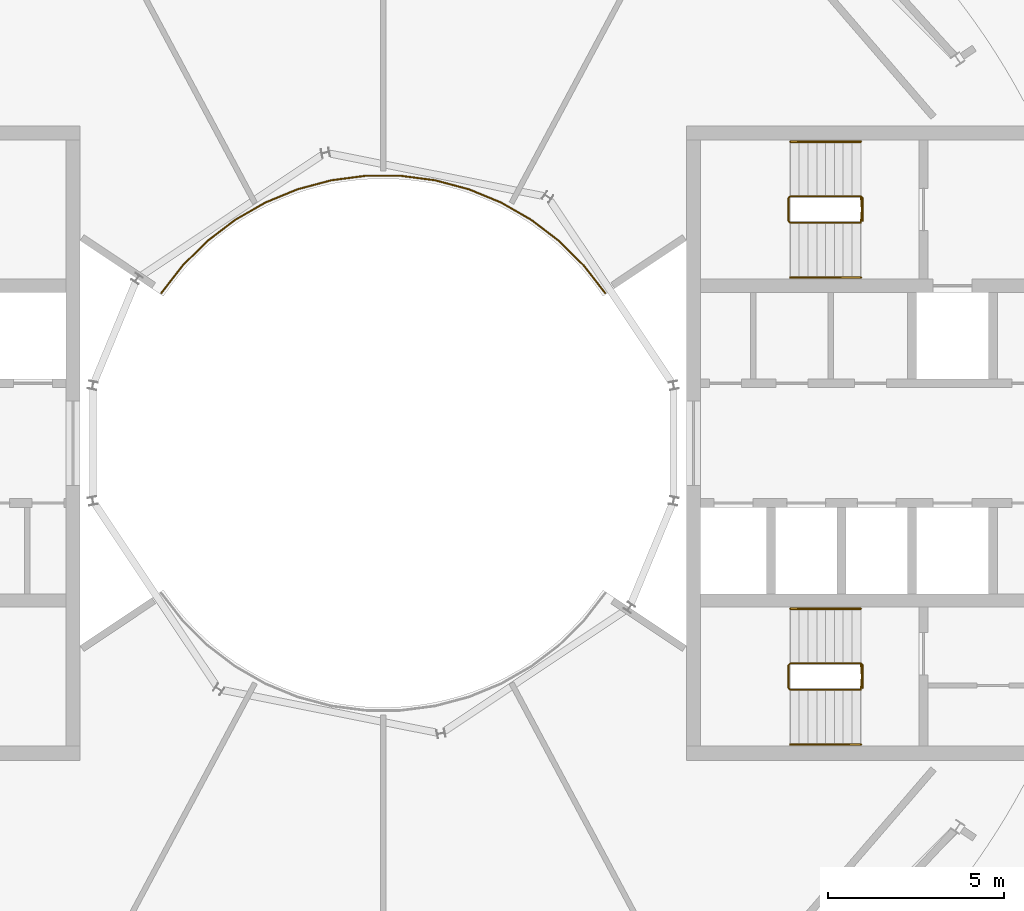
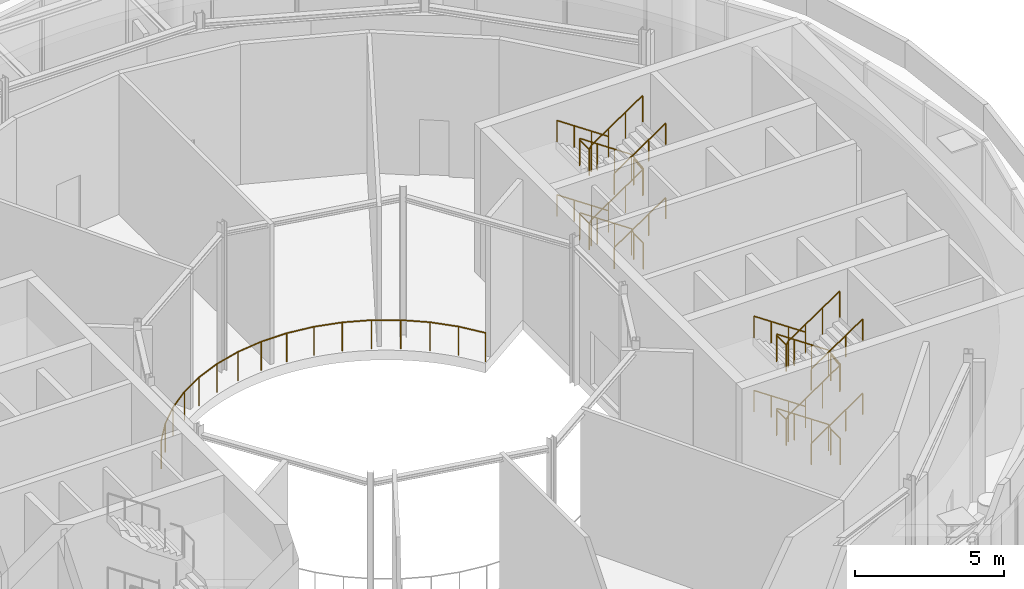
# One storey, part 20 of 20: 11 railings.
"""IFC4 building model written with IfcOpenShell, lengths in metres."""

from ifc_helpers import new_model, si_unit, direction, frame, origin, origin_2d, place, context, subcontext, project, spatial, circle, extrude, material, type_object, element, save


model = new_model("IFC4")

# Units and contexts
model_context = context("Model", 3, precision=1e-05, world=origin(), true_north=direction((0.0, 1.0)))
body_context = subcontext(model_context, "Body", "Model", "MODEL_VIEW")
ifc_project = project(units=[si_unit("LENGTHUNIT", "METRE"), si_unit("AREAUNIT", "SQUARE_METRE"), si_unit("VOLUMEUNIT", "CUBIC_METRE"), si_unit("PLANEANGLEUNIT", "RADIAN"), si_unit("MASSUNIT", "GRAM", prefix="KILO")], contexts=[model_context])

# Site, building, storey
site_placement = place(None, origin())
site = spatial("IfcSite", under=ifc_project, at=site_placement, CompositionType="ELEMENT")
building_placement = place(site_placement, origin())
building = spatial("IfcBuilding", under=site, at=building_placement, Name="Maasbend Ring Residences", CompositionType="ELEMENT")
storey_placement = place(building_placement, frame((0.0, 0.0, 255.39990234375)))
storey = spatial("IfcBuildingStorey", under=building, at=storey_placement, Name="L74", CompositionType="ELEMENT", Elevation=255.39990234375)

# Railings
ifc_material_1 = material(Name="Stainless steel 316 and glass", Category="steel")
railing_type_1 = type_object("IfcRailingType", Name="RL-GUARD", PredefinedType="GUARDRAIL", material=ifc_material_1)
railing_1_placement = place(storey_placement, frame((6.296875, 4.25537109375, 0.0)))
element("IfcRailing", 1, at=railing_1_placement, inside=storey, type_object=railing_type_1, Name="Well guard 1", PredefinedType="GUARDRAIL", context=body_context, shape_type="SweptSolid", body=[
    extrude(circle(Radius=0.02490234375, at=origin_2d()), frame((0.0, 0.0, 1.1748046875), z_axis=(-0.61260637429, 0.790388151593, 0.0), x_axis=(-0.790388151593, -0.61260637429, 0.0)), (0.0, 0.0, 1.0), 0.98876953125),
    extrude(circle(Radius=0.02490234375, at=origin_2d()), frame((-0.605712890625, 0.781494140625, 1.1748046875), z_axis=(-0.710063286319, 0.704137862511, 0.0), x_axis=(-0.704137862511, -0.710063286319, 0.0)), (0.0, 0.0, 1.0), 0.98876953125),
    extrude(circle(Radius=0.02490234375, at=origin_2d()), frame((-1.307861328125, 1.477783203125, 1.1748046875), z_axis=(-0.795414718638, 0.606065528944, 0.0), x_axis=(-0.606065528944, -0.795414718638, 0.0)), (0.0, 0.0, 1.0), 0.989013671875),
    extrude(circle(Radius=0.02490234375, at=origin_2d()), frame((-2.094482421875, 2.0771484375, 1.1748046875), z_axis=(-0.867436652983, 0.497547638987, 0.0), x_axis=(-0.497547638987, -0.867436652983, 0.0)), (0.0, 0.0, 1.0), 0.98876953125),
    extrude(circle(Radius=0.02490234375, at=origin_2d()), frame((-2.9521484375, 2.569091796875, 1.1748046875), z_axis=(-0.924683211941, 0.380737386599, 0.0), x_axis=(-0.380737386599, -0.924683211941, 0.0)), (0.0, 0.0, 1.0), 0.98876953125),
    extrude(circle(Radius=0.02490234375, at=origin_2d()), frame((-3.866455078125, 2.945556640625, 1.1748046875), z_axis=(-0.966279997956, 0.257493622348, 0.0), x_axis=(-0.257493622348, -0.966279997956, 0.0)), (0.0, 0.0, 1.0), 0.989013671875),
    extrude(circle(Radius=0.02490234375, at=origin_2d()), frame((-4.822021484375, 3.2001953125, 1.1748046875), z_axis=(-0.991531433773, 0.129866915878, 0.0), x_axis=(-0.129866915878, -0.991531433773, 0.0)), (0.0, 0.0, 1.0), 0.98876953125),
    extrude(circle(Radius=0.02490234375, at=origin_2d()), frame((-5.802490234375, 3.32861328125, 1.1748046875), z_axis=(-1.0, 0.0, 0.0), x_axis=(0.0, -1.0, 0.0)), (0.0, 0.0, 1.0), 0.98876953125),
    extrude(circle(Radius=0.02490234375, at=origin_2d()), frame((-6.791259765625, 3.32861328125, 1.1748046875), z_axis=(-0.991531433773, -0.129866915878, 0.0), x_axis=(0.129866915878, -0.991531433773, 0.0)), (0.0, 0.0, 1.0), 0.98876953125),
    extrude(circle(Radius=0.02490234375, at=origin_2d()), frame((-7.771728515625, 3.2001953125, 1.1748046875), z_axis=(-0.966279997956, -0.257493622348, 0.0), x_axis=(0.257493622348, -0.966279997956, 0.0)), (0.0, 0.0, 1.0), 0.989013671875),
    extrude(circle(Radius=0.02490234375, at=origin_2d()), frame((-8.727294921875, 2.945556640625, 1.1748046875), z_axis=(-0.924683211941, -0.380737386599, 0.0), x_axis=(0.380737386599, -0.924683211941, 0.0)), (0.0, 0.0, 1.0), 0.98876953125),
    extrude(circle(Radius=0.02490234375, at=origin_2d()), frame((-9.6416015625, 2.569091796875, 1.1748046875), z_axis=(-0.867436652983, -0.497547638987, 0.0), x_axis=(0.497547638987, -0.867436652983, 0.0)), (0.0, 0.0, 1.0), 0.98876953125),
    extrude(circle(Radius=0.02490234375, at=origin_2d()), frame((-10.499267578125, 2.0771484375, 1.1748046875), z_axis=(-0.795414718638, -0.606065528944, 0.0), x_axis=(0.606065528944, -0.795414718638, 0.0)), (0.0, 0.0, 1.0), 0.989013671875),
    extrude(circle(Radius=0.02490234375, at=origin_2d()), frame((-11.285888671875, 1.477783203125, 1.1748046875), z_axis=(-0.710063286319, -0.704137862511, 0.0), x_axis=(0.704137862511, -0.710063286319, 0.0)), (0.0, 0.0, 1.0), 0.98876953125),
    extrude(circle(Radius=0.02490234375, at=origin_2d()), frame((-11.988037109375, 0.781494140625, 1.1748046875), z_axis=(-0.61260637429, -0.790388151593, 0.0), x_axis=(0.790388151593, -0.61260637429, 0.0)), (0.0, 0.0, 1.0), 0.98876953125),
    extrude(circle(Radius=0.02001953125, at=origin_2d()), origin(), (0.0, 0.0, 1.0), 1.14990234375),
    extrude(circle(Radius=0.02001953125, at=origin_2d()), frame((-0.605712890625, 0.781494140625, 0.0)), (0.0, 0.0, 1.0), 1.14990234375),
    extrude(circle(Radius=0.02001953125, at=origin_2d()), frame((-1.307861328125, 1.477783203125, 0.0)), (0.0, 0.0, 1.0), 1.14990234375),
    extrude(circle(Radius=0.02001953125, at=origin_2d()), frame((-2.094482421875, 2.0771484375, 0.0)), (0.0, 0.0, 1.0), 1.14990234375),
    extrude(circle(Radius=0.02001953125, at=origin_2d()), frame((-2.9521484375, 2.569091796875, 0.0)), (0.0, 0.0, 1.0), 1.14990234375),
    extrude(circle(Radius=0.02001953125, at=origin_2d()), frame((-3.866455078125, 2.945556640625, 0.0)), (0.0, 0.0, 1.0), 1.14990234375),
    extrude(circle(Radius=0.02001953125, at=origin_2d()), frame((-4.822021484375, 3.2001953125, 0.0)), (0.0, 0.0, 1.0), 1.14990234375),
    extrude(circle(Radius=0.02001953125, at=origin_2d()), frame((-5.802490234375, 3.32861328125, 0.0)), (0.0, 0.0, 1.0), 1.14990234375),
    extrude(circle(Radius=0.02001953125, at=origin_2d()), frame((-6.791259765625, 3.32861328125, 0.0)), (0.0, 0.0, 1.0), 1.14990234375),
    extrude(circle(Radius=0.02001953125, at=origin_2d()), frame((-7.771728515625, 3.2001953125, 0.0)), (0.0, 0.0, 1.0), 1.14990234375),
    extrude(circle(Radius=0.02001953125, at=origin_2d()), frame((-8.727294921875, 2.945556640625, 0.0)), (0.0, 0.0, 1.0), 1.14990234375),
    extrude(circle(Radius=0.02001953125, at=origin_2d()), frame((-9.6416015625, 2.569091796875, 0.0)), (0.0, 0.0, 1.0), 1.14990234375),
    extrude(circle(Radius=0.02001953125, at=origin_2d()), frame((-10.499267578125, 2.0771484375, 0.0)), (0.0, 0.0, 1.0), 1.14990234375),
    extrude(circle(Radius=0.02001953125, at=origin_2d()), frame((-11.285888671875, 1.477783203125, 0.0)), (0.0, 0.0, 1.0), 1.14990234375),
    extrude(circle(Radius=0.02001953125, at=origin_2d()), frame((-11.988037109375, 0.781494140625, 0.0)), (0.0, 0.0, 1.0), 1.14990234375),
    extrude(circle(Radius=0.02001953125, at=origin_2d()), frame((-12.59375, 0.0, 0.0)), (0.0, 0.0, 1.0), 1.14990234375),
])
ifc_material_2 = material(Name="Stainless steel 316", Category="steel")
railing_type_2 = type_object("IfcRailingType", Name="STAIR GUARD 1100", PredefinedType="GUARDRAIL", material=ifc_material_2)
railing_2_placement = place(storey_placement, frame((13.60009765625, 6.300048828125, 0.0)))
element("IfcRailing", 2, at=railing_2_placement, inside=storey, type_object=railing_type_2, Name="L74 ST-E1 stair guard 1", PredefinedType="GUARDRAIL", context=body_context, shape_type="SweptSolid", body=[
    extrude(circle(Radius=0.02392578125, at=origin_2d()), frame((0.0, 0.0, 1.076171875), z_axis=(0.0, 1.0, 0.0), x_axis=(-1.0, 0.0, 0.0)), (0.0, 0.0, 1.0), 0.64990234375),
    extrude(circle(Radius=0.02392578125, at=origin_2d()), frame((0.0, 0.64990234375, 1.076171875), z_axis=(-0.272562526181, 0.272562526181, 0.92272386912), x_axis=(-0.707106781187, -0.707106781187, 0.0)), (0.0, 0.0, 1.0), 0.18359375),
    extrude(circle(Radius=0.02392578125, at=origin_2d()), frame((-0.050048828125, 0.699951171875, 1.24560546875), z_axis=(-0.827750655447, 0.0, 0.561096116906), x_axis=(0.0, -1.0, 0.0)), (0.0, 0.0, 1.0), 2.416259765625),
    extrude(circle(Radius=0.02392578125, at=origin_2d()), frame((-2.050048828125, 0.699951171875, 2.60107421875), z_axis=(-0.707106781187, -0.707106781187, 0.0), x_axis=(0.707106781187, -0.707106781187, 0.0)), (0.0, 0.0, 1.0), 0.07080078125),
    extrude(circle(Radius=0.02392578125, at=origin_2d()), frame((-2.10009765625, 0.64990234375, 2.60107421875), z_axis=(0.0, -1.0, 0.0), x_axis=(1.0, 0.0, 0.0)), (0.0, 0.0, 1.0), 0.64990234375),
    extrude(circle(Radius=0.02392578125, at=origin_2d()), frame((-2.10009765625, 0.0, 2.60107421875), z_axis=(0.272562526181, -0.272562526181, 0.92272386912), x_axis=(0.707106781187, 0.707106781187, 0.0)), (0.0, 0.0, 1.0), 0.18359375),
    extrude(circle(Radius=0.02392578125, at=origin_2d()), frame((-2.050048828125, -0.050048828125, 2.7705078125), z_axis=(0.827797584762, 0.0, 0.561026878735), x_axis=(0.0, 1.0, 0.0)), (0.0, 0.0, 1.0), 2.416015625),
    extrude(circle(Radius=0.02392578125, at=origin_2d()), frame((-0.050048828125, -0.050048828125, 4.1259765625), z_axis=(0.071321223157, 0.997453398975, 0.0), x_axis=(-0.997453398975, 0.071321223157, 0.0)), (0.0, 0.0, 1.0), 0.70166015625),
    extrude(circle(Radius=0.02392578125, at=origin_2d()), frame((0.0, 0.64990234375, 4.1259765625), z_axis=(0.0, -1.0, 0.0), x_axis=(1.0, 0.0, 0.0)), (0.0, 0.0, 1.0), 0.64990234375),
    extrude(circle(Radius=0.02392578125, at=origin_2d()), frame((0.0, 0.0, 4.1259765625), z_axis=(-0.069328998915, 0.969591414091, 0.234704025594), x_axis=(-0.997453398975, -0.071321223157, 0.0)), (0.0, 0.0, 1.0), 0.721923828125),
    extrude(circle(Radius=0.02392578125, at=origin_2d()), frame((-0.050048828125, 0.699951171875, 4.29541015625), z_axis=(-0.827750655447, 0.0, 0.561096116906), x_axis=(0.0, -1.0, 0.0)), (0.0, 0.0, 1.0), 2.416259765625),
    extrude(circle(Radius=0.02392578125, at=origin_2d()), frame((-2.050048828125, 0.699951171875, 5.6513671875), z_axis=(-0.707106781187, -0.707106781187, 0.0), x_axis=(0.707106781187, -0.707106781187, 0.0)), (0.0, 0.0, 1.0), 0.07080078125),
    extrude(circle(Radius=0.02392578125, at=origin_2d()), frame((-2.10009765625, 0.64990234375, 5.6513671875), z_axis=(0.0, -1.0, 0.0), x_axis=(1.0, 0.0, 0.0)), (0.0, 0.0, 1.0), 0.64990234375),
    extrude(circle(Radius=0.02392578125, at=origin_2d()), frame((-2.10009765625, 0.0, 5.6513671875), z_axis=(0.272562526181, -0.272562526181, 0.92272386912), x_axis=(0.707106781187, 0.707106781187, 0.0)), (0.0, 0.0, 1.0), 0.18359375),
    extrude(circle(Radius=0.02392578125, at=origin_2d()), frame((-2.050048828125, -0.050048828125, 5.82080078125), z_axis=(0.827797584762, 0.0, 0.561026878735), x_axis=(0.0, 1.0, 0.0)), (0.0, 0.0, 1.0), 2.416015625),
    extrude(circle(Radius=0.02099609375, at=origin_2d()), origin(), (0.0, 0.0, 1.0), 1.052001953125),
    extrude(circle(Radius=0.02099609375, at=origin_2d()), frame((0.0, 0.64990234375, 0.0)), (0.0, 0.0, 1.0), 1.052001953125),
    extrude(circle(Radius=0.02099609375, at=origin_2d()), frame((-0.050048828125, 0.699951171875, 0.16943359375)), (0.0, 0.0, 1.0), 1.052001953125),
    extrude(circle(Radius=0.02099609375, at=origin_2d()), frame((-0.716796875, 0.699951171875, 0.621337890625)), (0.0, 0.0, 1.0), 1.052001953125),
    extrude(circle(Radius=0.02099609375, at=origin_2d()), frame((-1.38330078125, 0.699951171875, 1.0732421875)), (0.0, 0.0, 1.0), 1.052001953125),
    extrude(circle(Radius=0.02099609375, at=origin_2d()), frame((-2.050048828125, 0.699951171875, 1.525146484375)), (0.0, 0.0, 1.0), 1.052001953125),
    extrude(circle(Radius=0.02099609375, at=origin_2d()), frame((-2.10009765625, 0.64990234375, 1.525146484375)), (0.0, 0.0, 1.0), 1.052001953125),
    extrude(circle(Radius=0.02099609375, at=origin_2d()), frame((-2.10009765625, 0.0, 1.525146484375)), (0.0, 0.0, 1.0), 1.052001953125),
    extrude(circle(Radius=0.02099609375, at=origin_2d()), frame((-2.050048828125, -0.050048828125, 1.694580078125)), (0.0, 0.0, 1.0), 1.052001953125),
    extrude(circle(Radius=0.02099609375, at=origin_2d()), frame((-1.38330078125, -0.050048828125, 2.146484375)), (0.0, 0.0, 1.0), 1.052001953125),
    extrude(circle(Radius=0.02099609375, at=origin_2d()), frame((-0.716796875, -0.050048828125, 2.59814453125)), (0.0, 0.0, 1.0), 1.052001953125),
    extrude(circle(Radius=0.02099609375, at=origin_2d()), frame((-0.050048828125, -0.050048828125, 3.050048828125)), (0.0, 0.0, 1.0), 1.052001953125),
    extrude(circle(Radius=0.02099609375, at=origin_2d()), frame((0.0, 0.64990234375, 3.050048828125)), (0.0, 0.0, 1.0), 1.052001953125),
    extrude(circle(Radius=0.02099609375, at=origin_2d()), frame((0.0, 0.0, 3.050048828125)), (0.0, 0.0, 1.0), 1.052001953125),
    extrude(circle(Radius=0.02099609375, at=origin_2d()), frame((-0.050048828125, 0.699951171875, 3.219482421875)), (0.0, 0.0, 1.0), 1.052001953125),
    extrude(circle(Radius=0.02099609375, at=origin_2d()), frame((-0.716796875, 0.699951171875, 3.67138671875)), (0.0, 0.0, 1.0), 1.052001953125),
    extrude(circle(Radius=0.02099609375, at=origin_2d()), frame((-1.38330078125, 0.699951171875, 4.123291015625)), (0.0, 0.0, 1.0), 1.052001953125),
    extrude(circle(Radius=0.02099609375, at=origin_2d()), frame((-2.050048828125, 0.699951171875, 4.5751953125)), (0.0, 0.0, 1.0), 1.052001953125),
    extrude(circle(Radius=0.02099609375, at=origin_2d()), frame((-2.10009765625, 0.64990234375, 4.5751953125)), (0.0, 0.0, 1.0), 1.052001953125),
    extrude(circle(Radius=0.02099609375, at=origin_2d()), frame((-2.10009765625, 0.0, 4.5751953125)), (0.0, 0.0, 1.0), 1.052001953125),
    extrude(circle(Radius=0.02099609375, at=origin_2d()), frame((-2.050048828125, -0.050048828125, 4.74462890625)), (0.0, 0.0, 1.0), 1.052001953125),
    extrude(circle(Radius=0.02099609375, at=origin_2d()), frame((-1.38330078125, -0.050048828125, 5.196533203125)), (0.0, 0.0, 1.0), 1.052001953125),
    extrude(circle(Radius=0.02099609375, at=origin_2d()), frame((-0.716796875, -0.050048828125, 5.648193359375)), (0.0, 0.0, 1.0), 1.052001953125),
    extrude(circle(Radius=0.02099609375, at=origin_2d()), frame((-0.050048828125, -0.050048828125, 6.10009765625)), (0.0, 0.0, 1.0), 1.052001953125),
])
railing_3_placement = place(storey_placement, frame((13.60009765625, -6.949951171875, 0.0)))
element("IfcRailing", 3, at=railing_3_placement, inside=storey, type_object=railing_type_2, Name="L74 ST-E2 stair guard 1", PredefinedType="GUARDRAIL", context=body_context, shape_type="SweptSolid", body=[
    extrude(circle(Radius=0.02392578125, at=origin_2d()), frame((0.0, 0.0, 1.076171875), z_axis=(0.0, 1.0, 0.0), x_axis=(-1.0, 0.0, 0.0)), (0.0, 0.0, 1.0), 0.64990234375),
    extrude(circle(Radius=0.02392578125, at=origin_2d()), frame((0.0, 0.64990234375, 1.076171875), z_axis=(-0.272562526181, 0.272562526181, 0.92272386912), x_axis=(-0.707106781187, -0.707106781187, 0.0)), (0.0, 0.0, 1.0), 0.18359375),
    extrude(circle(Radius=0.02392578125, at=origin_2d()), frame((-0.050048828125, 0.699951171875, 1.24560546875), z_axis=(-0.827750655447, 0.0, 0.561096116906), x_axis=(0.0, -1.0, 0.0)), (0.0, 0.0, 1.0), 2.416259765625),
    extrude(circle(Radius=0.02392578125, at=origin_2d()), frame((-2.050048828125, 0.699951171875, 2.60107421875), z_axis=(-0.707106781187, -0.707106781187, 0.0), x_axis=(0.707106781187, -0.707106781187, 0.0)), (0.0, 0.0, 1.0), 0.07080078125),
    extrude(circle(Radius=0.02392578125, at=origin_2d()), frame((-2.10009765625, 0.64990234375, 2.60107421875), z_axis=(0.0, -1.0, 0.0), x_axis=(1.0, 0.0, 0.0)), (0.0, 0.0, 1.0), 0.64990234375),
    extrude(circle(Radius=0.02392578125, at=origin_2d()), frame((-2.10009765625, 0.0, 2.60107421875), z_axis=(0.272562526181, -0.272562526181, 0.92272386912), x_axis=(0.707106781187, 0.707106781187, 0.0)), (0.0, 0.0, 1.0), 0.18359375),
    extrude(circle(Radius=0.02392578125, at=origin_2d()), frame((-2.050048828125, -0.050048828125, 2.7705078125), z_axis=(0.827797584762, 0.0, 0.561026878735), x_axis=(0.0, 1.0, 0.0)), (0.0, 0.0, 1.0), 2.416015625),
    extrude(circle(Radius=0.02392578125, at=origin_2d()), frame((-0.050048828125, -0.050048828125, 4.1259765625), z_axis=(0.071321223157, 0.997453398975, 0.0), x_axis=(-0.997453398975, 0.071321223157, 0.0)), (0.0, 0.0, 1.0), 0.70166015625),
    extrude(circle(Radius=0.02392578125, at=origin_2d()), frame((0.0, 0.64990234375, 4.1259765625), z_axis=(0.0, -1.0, 0.0), x_axis=(1.0, 0.0, 0.0)), (0.0, 0.0, 1.0), 0.64990234375),
    extrude(circle(Radius=0.02392578125, at=origin_2d()), frame((0.0, 0.0, 4.1259765625), z_axis=(-0.069328998915, 0.969591414091, 0.234704025594), x_axis=(-0.997453398975, -0.071321223157, 0.0)), (0.0, 0.0, 1.0), 0.721923828125),
    extrude(circle(Radius=0.02392578125, at=origin_2d()), frame((-0.050048828125, 0.699951171875, 4.29541015625), z_axis=(-0.827750655447, 0.0, 0.561096116906), x_axis=(0.0, -1.0, 0.0)), (0.0, 0.0, 1.0), 2.416259765625),
    extrude(circle(Radius=0.02392578125, at=origin_2d()), frame((-2.050048828125, 0.699951171875, 5.6513671875), z_axis=(-0.707106781187, -0.707106781187, 0.0), x_axis=(0.707106781187, -0.707106781187, 0.0)), (0.0, 0.0, 1.0), 0.07080078125),
    extrude(circle(Radius=0.02392578125, at=origin_2d()), frame((-2.10009765625, 0.64990234375, 5.6513671875), z_axis=(0.0, -1.0, 0.0), x_axis=(1.0, 0.0, 0.0)), (0.0, 0.0, 1.0), 0.64990234375),
    extrude(circle(Radius=0.02392578125, at=origin_2d()), frame((-2.10009765625, 0.0, 5.6513671875), z_axis=(0.272562526181, -0.272562526181, 0.92272386912), x_axis=(0.707106781187, 0.707106781187, 0.0)), (0.0, 0.0, 1.0), 0.18359375),
    extrude(circle(Radius=0.02392578125, at=origin_2d()), frame((-2.050048828125, -0.050048828125, 5.82080078125), z_axis=(0.827797584762, 0.0, 0.561026878735), x_axis=(0.0, 1.0, 0.0)), (0.0, 0.0, 1.0), 2.416015625),
    extrude(circle(Radius=0.02099609375, at=origin_2d()), origin(), (0.0, 0.0, 1.0), 1.052001953125),
    extrude(circle(Radius=0.02099609375, at=origin_2d()), frame((0.0, 0.64990234375, 0.0)), (0.0, 0.0, 1.0), 1.052001953125),
    extrude(circle(Radius=0.02099609375, at=origin_2d()), frame((-0.050048828125, 0.699951171875, 0.16943359375)), (0.0, 0.0, 1.0), 1.052001953125),
    extrude(circle(Radius=0.02099609375, at=origin_2d()), frame((-0.716796875, 0.699951171875, 0.621337890625)), (0.0, 0.0, 1.0), 1.052001953125),
    extrude(circle(Radius=0.02099609375, at=origin_2d()), frame((-1.38330078125, 0.699951171875, 1.0732421875)), (0.0, 0.0, 1.0), 1.052001953125),
    extrude(circle(Radius=0.02099609375, at=origin_2d()), frame((-2.050048828125, 0.699951171875, 1.525146484375)), (0.0, 0.0, 1.0), 1.052001953125),
    extrude(circle(Radius=0.02099609375, at=origin_2d()), frame((-2.10009765625, 0.64990234375, 1.525146484375)), (0.0, 0.0, 1.0), 1.052001953125),
    extrude(circle(Radius=0.02099609375, at=origin_2d()), frame((-2.10009765625, 0.0, 1.525146484375)), (0.0, 0.0, 1.0), 1.052001953125),
    extrude(circle(Radius=0.02099609375, at=origin_2d()), frame((-2.050048828125, -0.050048828125, 1.694580078125)), (0.0, 0.0, 1.0), 1.052001953125),
    extrude(circle(Radius=0.02099609375, at=origin_2d()), frame((-1.38330078125, -0.050048828125, 2.146484375)), (0.0, 0.0, 1.0), 1.052001953125),
    extrude(circle(Radius=0.02099609375, at=origin_2d()), frame((-0.716796875, -0.050048828125, 2.59814453125)), (0.0, 0.0, 1.0), 1.052001953125),
    extrude(circle(Radius=0.02099609375, at=origin_2d()), frame((-0.050048828125, -0.050048828125, 3.050048828125)), (0.0, 0.0, 1.0), 1.052001953125),
    extrude(circle(Radius=0.02099609375, at=origin_2d()), frame((0.0, 0.64990234375, 3.050048828125)), (0.0, 0.0, 1.0), 1.052001953125),
    extrude(circle(Radius=0.02099609375, at=origin_2d()), frame((0.0, 0.0, 3.050048828125)), (0.0, 0.0, 1.0), 1.052001953125),
    extrude(circle(Radius=0.02099609375, at=origin_2d()), frame((-0.050048828125, 0.699951171875, 3.219482421875)), (0.0, 0.0, 1.0), 1.052001953125),
    extrude(circle(Radius=0.02099609375, at=origin_2d()), frame((-0.716796875, 0.699951171875, 3.67138671875)), (0.0, 0.0, 1.0), 1.052001953125),
    extrude(circle(Radius=0.02099609375, at=origin_2d()), frame((-1.38330078125, 0.699951171875, 4.123291015625)), (0.0, 0.0, 1.0), 1.052001953125),
    extrude(circle(Radius=0.02099609375, at=origin_2d()), frame((-2.050048828125, 0.699951171875, 4.5751953125)), (0.0, 0.0, 1.0), 1.052001953125),
    extrude(circle(Radius=0.02099609375, at=origin_2d()), frame((-2.10009765625, 0.64990234375, 4.5751953125)), (0.0, 0.0, 1.0), 1.052001953125),
    extrude(circle(Radius=0.02099609375, at=origin_2d()), frame((-2.10009765625, 0.0, 4.5751953125)), (0.0, 0.0, 1.0), 1.052001953125),
    extrude(circle(Radius=0.02099609375, at=origin_2d()), frame((-2.050048828125, -0.050048828125, 4.74462890625)), (0.0, 0.0, 1.0), 1.052001953125),
    extrude(circle(Radius=0.02099609375, at=origin_2d()), frame((-1.38330078125, -0.050048828125, 5.196533203125)), (0.0, 0.0, 1.0), 1.052001953125),
    extrude(circle(Radius=0.02099609375, at=origin_2d()), frame((-0.716796875, -0.050048828125, 5.648193359375)), (0.0, 0.0, 1.0), 1.052001953125),
    extrude(circle(Radius=0.02099609375, at=origin_2d()), frame((-0.050048828125, -0.050048828125, 6.10009765625)), (0.0, 0.0, 1.0), 1.052001953125),
])
ifc_material_3 = material(Name="Stainless steel 316", Category="steel")
railing_type_3 = type_object("IfcRailingType", Name="STAIR HANDRAIL 900", PredefinedType="HANDRAIL", material=ifc_material_3)
railing_4_placement = place(storey_placement, frame((13.550048828125, 8.550048828125, 0.16943359375)))
element("IfcRailing", 4, at=railing_4_placement, inside=storey, type_object=railing_type_3, Name="L74 ST-E1 stair handrail 1", PredefinedType="HANDRAIL", context=body_context, shape_type="SweptSolid", body=[
    extrude(circle(Radius=0.02392578125, at=origin_2d()), frame((0.0, 0.0, 0.8759765625), z_axis=(-0.827750655447, 0.0, 0.561096116906), x_axis=(0.0, -1.0, 0.0)), (0.0, 0.0, 1.0), 2.416259765625),
    extrude(circle(Radius=0.02099609375, at=origin_2d()), origin(), (0.0, 0.0, 1.0), 0.851806640625),
    extrude(circle(Radius=0.02099609375, at=origin_2d()), frame((-0.666748046875, 0.0, 0.451904296875)), (0.0, 0.0, 1.0), 0.851806640625),
    extrude(circle(Radius=0.02099609375, at=origin_2d()), frame((-1.333251953125, 0.0, 0.90380859375)), (0.0, 0.0, 1.0), 0.851806640625),
    extrude(circle(Radius=0.02099609375, at=origin_2d()), frame((-2.0, 0.0, 1.355712890625)), (0.0, 0.0, 1.0), 0.851806640625),
])
railing_5_placement = place(storey_placement, frame((11.550048828125, 4.699951171875, 1.694580078125)))
element("IfcRailing", 5, at=railing_5_placement, inside=storey, type_object=railing_type_3, Name="L74 ST-E1 stair handrail 2", PredefinedType="HANDRAIL", context=body_context, shape_type="SweptSolid", body=[
    extrude(circle(Radius=0.02392578125, at=origin_2d()), frame((0.0, 0.0, 0.8759765625), z_axis=(0.827797584762, 0.0, 0.561026878735), x_axis=(0.0, 1.0, 0.0)), (0.0, 0.0, 1.0), 2.416015625),
    extrude(circle(Radius=0.02099609375, at=origin_2d()), origin(), (0.0, 0.0, 1.0), 0.851806640625),
    extrude(circle(Radius=0.02099609375, at=origin_2d()), frame((0.666748046875, 0.0, 0.451904296875)), (0.0, 0.0, 1.0), 0.851806640625),
    extrude(circle(Radius=0.02099609375, at=origin_2d()), frame((1.333251953125, 0.0, 0.903564453125)), (0.0, 0.0, 1.0), 0.851806640625),
    extrude(circle(Radius=0.02099609375, at=origin_2d()), frame((2.0, 0.0, 1.35546875)), (0.0, 0.0, 1.0), 0.851806640625),
])
railing_6_placement = place(storey_placement, frame((13.550048828125, 8.550048828125, 3.219482421875)))
element("IfcRailing", 6, at=railing_6_placement, inside=storey, type_object=railing_type_3, Name="L74 ST-E1 stair handrail 3", PredefinedType="HANDRAIL", context=body_context, shape_type="SweptSolid", body=[
    extrude(circle(Radius=0.02392578125, at=origin_2d()), frame((0.0, 0.0, 0.8759765625), z_axis=(-0.827750655447, 0.0, 0.561096116906), x_axis=(0.0, -1.0, 0.0)), (0.0, 0.0, 1.0), 2.416259765625),
    extrude(circle(Radius=0.02099609375, at=origin_2d()), origin(), (0.0, 0.0, 1.0), 0.851806640625),
    extrude(circle(Radius=0.02099609375, at=origin_2d()), frame((-0.666748046875, 0.0, 0.451904296875)), (0.0, 0.0, 1.0), 0.851806640625),
    extrude(circle(Radius=0.02099609375, at=origin_2d()), frame((-1.333251953125, 0.0, 0.90380859375)), (0.0, 0.0, 1.0), 0.851806640625),
    extrude(circle(Radius=0.02099609375, at=origin_2d()), frame((-2.0, 0.0, 1.355712890625)), (0.0, 0.0, 1.0), 0.851806640625),
])
railing_7_placement = place(storey_placement, frame((11.550048828125, 4.699951171875, 4.74462890625)))
element("IfcRailing", 7, at=railing_7_placement, inside=storey, type_object=railing_type_3, Name="L74 ST-E1 stair handrail 4", PredefinedType="HANDRAIL", context=body_context, shape_type="SweptSolid", body=[
    extrude(circle(Radius=0.02392578125, at=origin_2d()), frame((0.0, 0.0, 0.8759765625), z_axis=(0.827797584762, 0.0, 0.561026878735), x_axis=(0.0, 1.0, 0.0)), (0.0, 0.0, 1.0), 2.416015625),
    extrude(circle(Radius=0.02099609375, at=origin_2d()), origin(), (0.0, 0.0, 1.0), 0.851806640625),
    extrude(circle(Radius=0.02099609375, at=origin_2d()), frame((0.666748046875, 0.0, 0.451904296875)), (0.0, 0.0, 1.0), 0.851806640625),
    extrude(circle(Radius=0.02099609375, at=origin_2d()), frame((1.333251953125, 0.0, 0.903564453125)), (0.0, 0.0, 1.0), 0.851806640625),
    extrude(circle(Radius=0.02099609375, at=origin_2d()), frame((2.0, 0.0, 1.35546875)), (0.0, 0.0, 1.0), 0.851806640625),
])
railing_8_placement = place(storey_placement, frame((13.550048828125, -4.699951171875, 0.16943359375)))
element("IfcRailing", 8, at=railing_8_placement, inside=storey, type_object=railing_type_3, Name="L74 ST-E2 stair handrail 1", PredefinedType="HANDRAIL", context=body_context, shape_type="SweptSolid", body=[
    extrude(circle(Radius=0.02392578125, at=origin_2d()), frame((0.0, 0.0, 0.8759765625), z_axis=(-0.827750655447, 0.0, 0.561096116906), x_axis=(0.0, -1.0, 0.0)), (0.0, 0.0, 1.0), 2.416259765625),
    extrude(circle(Radius=0.02099609375, at=origin_2d()), origin(), (0.0, 0.0, 1.0), 0.851806640625),
    extrude(circle(Radius=0.02099609375, at=origin_2d()), frame((-0.666748046875, 0.0, 0.451904296875)), (0.0, 0.0, 1.0), 0.851806640625),
    extrude(circle(Radius=0.02099609375, at=origin_2d()), frame((-1.333251953125, 0.0, 0.90380859375)), (0.0, 0.0, 1.0), 0.851806640625),
    extrude(circle(Radius=0.02099609375, at=origin_2d()), frame((-2.0, 0.0, 1.355712890625)), (0.0, 0.0, 1.0), 0.851806640625),
])
railing_9_placement = place(storey_placement, frame((11.550048828125, -8.550048828125, 1.694580078125)))
element("IfcRailing", 9, at=railing_9_placement, inside=storey, type_object=railing_type_3, Name="L74 ST-E2 stair handrail 2", PredefinedType="HANDRAIL", context=body_context, shape_type="SweptSolid", body=[
    extrude(circle(Radius=0.02392578125, at=origin_2d()), frame((0.0, 0.0, 0.8759765625), z_axis=(0.827797584762, 0.0, 0.561026878735), x_axis=(0.0, 1.0, 0.0)), (0.0, 0.0, 1.0), 2.416015625),
    extrude(circle(Radius=0.02099609375, at=origin_2d()), origin(), (0.0, 0.0, 1.0), 0.851806640625),
    extrude(circle(Radius=0.02099609375, at=origin_2d()), frame((0.666748046875, 0.0, 0.451904296875)), (0.0, 0.0, 1.0), 0.851806640625),
    extrude(circle(Radius=0.02099609375, at=origin_2d()), frame((1.333251953125, 0.0, 0.903564453125)), (0.0, 0.0, 1.0), 0.851806640625),
    extrude(circle(Radius=0.02099609375, at=origin_2d()), frame((2.0, 0.0, 1.35546875)), (0.0, 0.0, 1.0), 0.851806640625),
])
railing_10_placement = place(storey_placement, frame((13.550048828125, -4.699951171875, 3.219482421875)))
element("IfcRailing", 10, at=railing_10_placement, inside=storey, type_object=railing_type_3, Name="L74 ST-E2 stair handrail 3", PredefinedType="HANDRAIL", context=body_context, shape_type="SweptSolid", body=[
    extrude(circle(Radius=0.02392578125, at=origin_2d()), frame((0.0, 0.0, 0.8759765625), z_axis=(-0.827750655447, 0.0, 0.561096116906), x_axis=(0.0, -1.0, 0.0)), (0.0, 0.0, 1.0), 2.416259765625),
    extrude(circle(Radius=0.02099609375, at=origin_2d()), origin(), (0.0, 0.0, 1.0), 0.851806640625),
    extrude(circle(Radius=0.02099609375, at=origin_2d()), frame((-0.666748046875, 0.0, 0.451904296875)), (0.0, 0.0, 1.0), 0.851806640625),
    extrude(circle(Radius=0.02099609375, at=origin_2d()), frame((-1.333251953125, 0.0, 0.90380859375)), (0.0, 0.0, 1.0), 0.851806640625),
    extrude(circle(Radius=0.02099609375, at=origin_2d()), frame((-2.0, 0.0, 1.355712890625)), (0.0, 0.0, 1.0), 0.851806640625),
])
railing_11_placement = place(storey_placement, frame((11.550048828125, -8.550048828125, 4.74462890625)))
element("IfcRailing", 11, at=railing_11_placement, inside=storey, type_object=railing_type_3, Name="L74 ST-E2 stair handrail 4", PredefinedType="HANDRAIL", context=body_context, shape_type="SweptSolid", body=[
    extrude(circle(Radius=0.02392578125, at=origin_2d()), frame((0.0, 0.0, 0.8759765625), z_axis=(0.827797584762, 0.0, 0.561026878735), x_axis=(0.0, 1.0, 0.0)), (0.0, 0.0, 1.0), 2.416015625),
    extrude(circle(Radius=0.02099609375, at=origin_2d()), origin(), (0.0, 0.0, 1.0), 0.851806640625),
    extrude(circle(Radius=0.02099609375, at=origin_2d()), frame((0.666748046875, 0.0, 0.451904296875)), (0.0, 0.0, 1.0), 0.851806640625),
    extrude(circle(Radius=0.02099609375, at=origin_2d()), frame((1.333251953125, 0.0, 0.903564453125)), (0.0, 0.0, 1.0), 0.851806640625),
    extrude(circle(Radius=0.02099609375, at=origin_2d()), frame((2.0, 0.0, 1.35546875)), (0.0, 0.0, 1.0), 0.851806640625),
])

save(model, "model.ifc")
